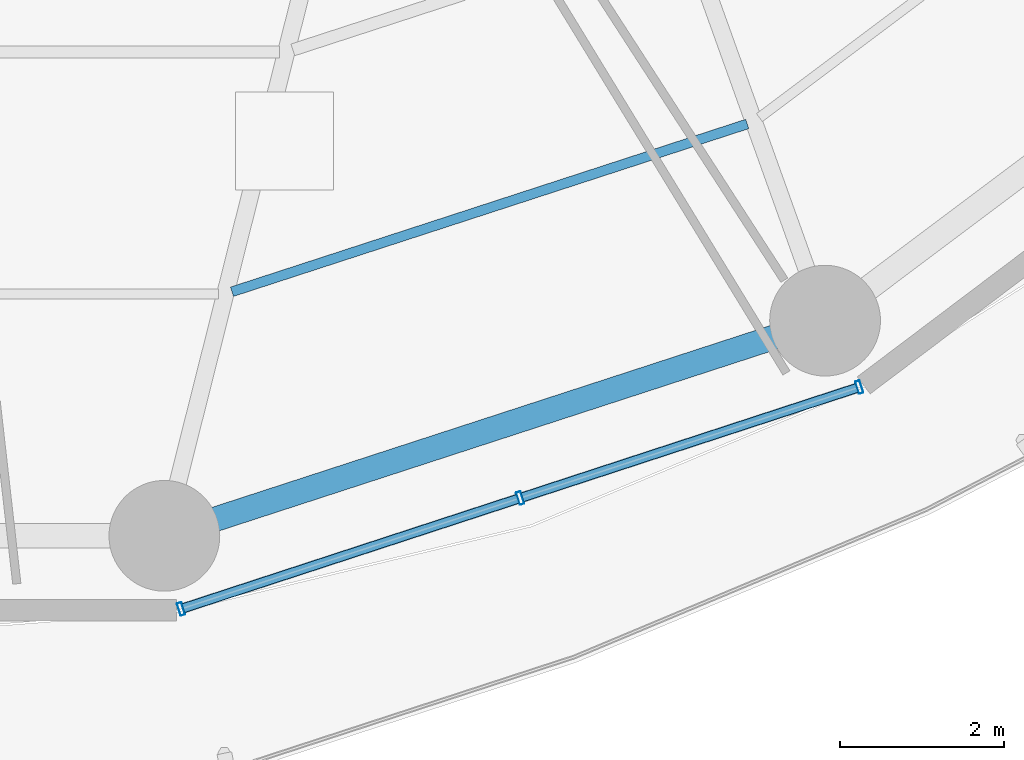
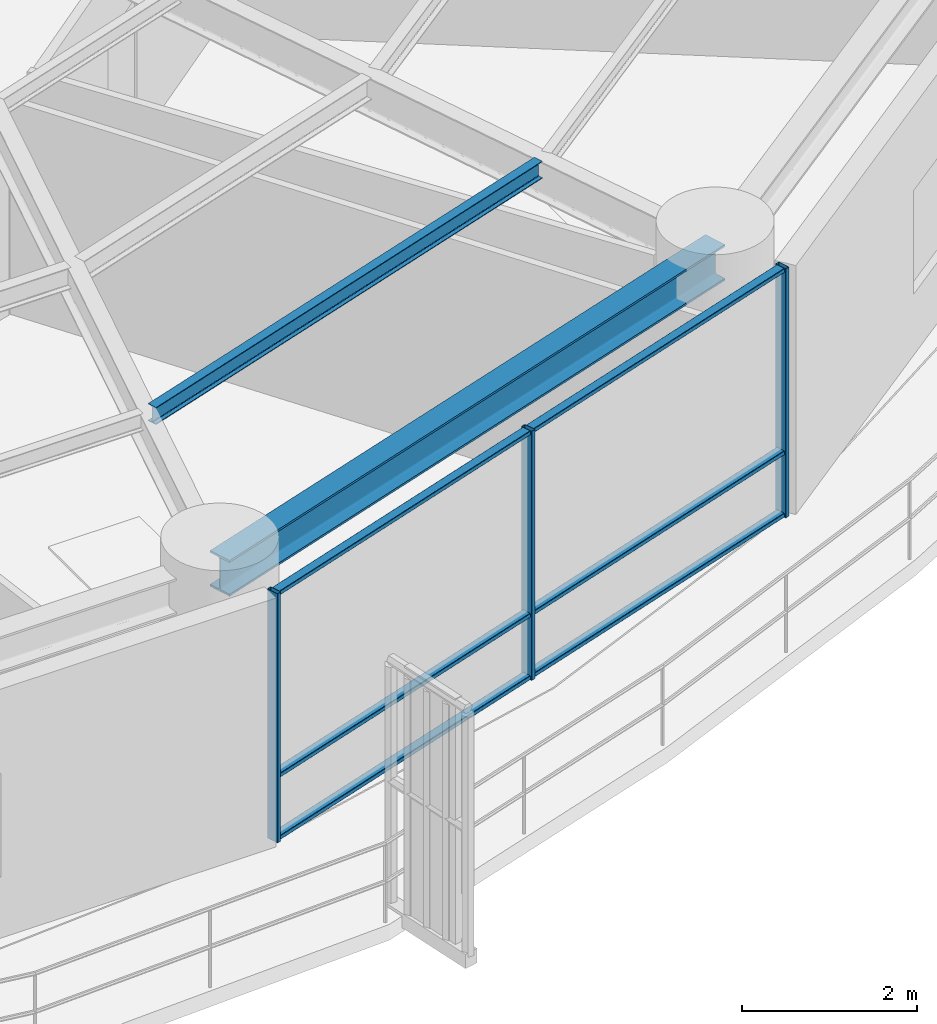
# One storey, part 8 of 33: 9 members, 2 beams, 1 element without a shape of its own.
"""IFC4 building model written with IfcOpenShell, lengths in metres."""

import ifcopenshell
import ifcopenshell.guid

model = None  # the IFC model being written
_history = None  # IfcOwnerHistory: only IFC2X3 demands one
_inside = {}  # id of a spatial element -> (the spatial element, [elements in it])
_under = {}  # id of a project, library or spatial element -> (it, [spatial elements below it])
_declared = {}  # id of a project -> (the project, [libraries it declares])
_typed = {}  # id of a type object -> (the type object, [elements of that type])
_made_of = {}  # id of a material, layer set ... -> (it, [elements and type objects made of it])


def new_model(schema):
    """Start an empty IFC model of exactly this schema.

    Asked for "IFC4X3", IfcOpenShell would pick the latest addendum, in which some entities
    have other attributes; the version numbers below select the first issue.
    IFC2X3 requires an IfcOwnerHistory on every rooted entity: one is made here for all.
    """
    global model, _history
    if schema == "IFC4X3":
        model = ifcopenshell.file(schema_version=(4, 3, 0, 0))
    else:
        model = ifcopenshell.file(schema=schema)
    _inside.clear()
    _under.clear()
    _declared.clear()
    _typed.clear()
    _made_of.clear()
    _history = None
    if model.schema == "IFC2X3":
        org = make("IfcOrganization", Name="unknown")
        user = make(
            "IfcPersonAndOrganization",
            ThePerson=make("IfcPerson", FamilyName="unknown"),
            TheOrganization=org,
        )
        app = make(
            "IfcApplication",
            ApplicationDeveloper=org,
            Version="unknown",
            ApplicationFullName="unknown",
            ApplicationIdentifier="unknown",
        )
        _history = make(
            "IfcOwnerHistory",
            OwningUser=user,
            OwningApplication=app,
            ChangeAction="ADDED",
            CreationDate=0,
        )
    return model


def make(cls, **values):
    """One entity of the class cls with the attributes given. An attribute that is None is left unset."""
    return model.create_entity(
        cls, **{name: value for name, value in values.items() if value is not None}
    )


def rooted(cls, **values):
    """An entity with a GlobalId (a new one), such as an element, a storey or a relation."""
    return make(cls, GlobalId=ifcopenshell.guid.new(), OwnerHistory=_history, **values)


def si_unit(unit_type, name, prefix=None):
    """IfcSIUnit, for example si_unit("LENGTHUNIT", "METRE", prefix="MILLI")."""
    return make("IfcSIUnit", UnitType=unit_type, Prefix=prefix, Name=name)


def assignment(units):
    """IfcUnitAssignment: the units of a project."""
    return None if units is None else make("IfcUnitAssignment", Units=units)


def point(xyz):
    """IfcCartesianPoint."""
    return None if xyz is None else make("IfcCartesianPoint", Coordinates=xyz)


def direction(xyz):
    """IfcDirection."""
    return None if xyz is None else make("IfcDirection", DirectionRatios=xyz)


def frame(location, z_axis=None, x_axis=None):
    """IfcAxis2Placement3D, a coordinate frame: its origin and axes. An axis left out is left unset."""
    return make(
        "IfcAxis2Placement3D",
        Location=point(location),
        Axis=direction(z_axis),
        RefDirection=direction(x_axis),
    )


def frame_2d(location, x_axis=None):
    """IfcAxis2Placement2D, a coordinate frame in the plane: its origin and x axis."""
    return make(
        "IfcAxis2Placement2D", Location=point(location), RefDirection=direction(x_axis)
    )


def origin():
    """The frame at (0, 0, 0) with its axes left unset."""
    return frame((0.0, 0.0, 0.0))


def origin_2d():
    """The frame at (0, 0) in the plane with its x axis left unset."""
    return frame_2d((0.0, 0.0))


def place(relative_to, where):
    """IfcLocalPlacement: puts the frame where relative to a parent placement (None: the world)."""
    return make(
        "IfcLocalPlacement", PlacementRelTo=relative_to, RelativePlacement=where
    )


def context(
    kind, dimensions, precision=None, world=None, true_north=None, identifier=None
):
    """IfcGeometricRepresentationContext, for example the 3D "Model" context."""
    return make(
        "IfcGeometricRepresentationContext",
        ContextIdentifier=identifier,
        ContextType=kind,
        CoordinateSpaceDimension=dimensions,
        Precision=precision,
        WorldCoordinateSystem=world,
        TrueNorth=true_north,
    )


def subcontext(parent, identifier, kind, view, scale=None):
    """IfcGeometricRepresentationSubContext, for example "Body" below "Model"."""
    return make(
        "IfcGeometricRepresentationSubContext",
        ContextIdentifier=identifier,
        ContextType=kind,
        ParentContext=parent,
        TargetScale=scale,
        TargetView=view,
    )


def project(units=None, contexts=None):
    """IfcProject with its units and contexts."""
    return rooted(
        "IfcProject",
        Name="project",
        RepresentationContexts=contexts,
        UnitsInContext=assignment(units),
    )


def spatial(cls, under=None, at=None, **own):
    """A site, building, storey or space (cls), placed at a placement, below another one or the project."""
    s = rooted(cls, ObjectPlacement=at, **own)
    if under is not None:
        _under.setdefault(under.id(), (under, []))[1].append(s)
    return s


def profile(cls, at=None, kind="AREA", **sizes):
    """A parametric profile (cls). Its sizes go by their IFC names, for example OverallWidth=200.0."""
    return make(cls, ProfileType=kind, Position=at, **sizes)


def hollow_rectangle(**sizes):
    """IfcRectangleHollowProfileDef."""
    return profile("IfcRectangleHollowProfileDef", **sizes)


def i_section(**sizes):
    """IfcIShapeProfileDef."""
    return profile("IfcIShapeProfileDef", **sizes)


def extrude(swept, where, along, depth):
    """IfcExtrudedAreaSolid: the profile swept, set in the frame where, extruded along a direction by depth."""
    return make(
        "IfcExtrudedAreaSolid",
        SweptArea=swept,
        Position=where,
        ExtrudedDirection=direction(along),
        Depth=depth,
    )


def shape(context_of_items, identifier, shape_type, items):
    """IfcShapeRepresentation: the items that make up one representation, for example the "Body"."""
    return make(
        "IfcShapeRepresentation",
        ContextOfItems=context_of_items,
        RepresentationIdentifier=identifier,
        RepresentationType=shape_type,
        Items=items,
    )


def material(Name=None, Category=None):
    """IfcMaterial."""
    return make("IfcMaterial", Name=Name, Category=Category)


def layer(
    of_material, thickness, ventilated=None, Name=None, Category=None, Priority=None
):
    """IfcMaterialLayer: one layer of a wall or slab, of a material (None: an air gap)."""
    return make(
        "IfcMaterialLayer",
        Material=of_material,
        LayerThickness=thickness,
        IsVentilated=ventilated,
        Name=Name,
        Category=Category,
        Priority=Priority,
    )


def layer_set(layers, Name=None):
    """IfcMaterialLayerSet."""
    return make("IfcMaterialLayerSet", MaterialLayers=layers, LayerSetName=Name)


def material_profile(
    of_material, cross_section, Name=None, Category=None, Priority=None
):
    """IfcMaterialProfile: a cross section and its material."""
    return make(
        "IfcMaterialProfile",
        Name=Name,
        Material=of_material,
        Profile=cross_section,
        Priority=Priority,
        Category=Category,
    )


def profile_set(profiles, Name=None, composite=None):
    """IfcMaterialProfileSet."""
    return make(
        "IfcMaterialProfileSet",
        Name=Name,
        MaterialProfiles=profiles,
        CompositeProfile=composite,
    )


def made_of(thing, what):
    """Note that an element or type object is made of a material, layer set ...; save() writes the relation."""
    if what is not None:
        _made_of.setdefault(what.id(), (what, []))[1].append(thing)
    return thing


def type_object(cls, material=None, **own):
    """A type object (cls), such as IfcWallType, which elements share."""
    return made_of(rooted(cls, **own), material)


def element(
    cls,
    number,
    at=None,
    inside=None,
    cuts=None,
    type_object=None,
    material=None,
    context=None,
    identifier="Body",
    shape_type=None,
    held_by="IfcProductDefinitionShape",
    body=None,
    shapes=None,
    **own,
):
    """One element of the class cls, such as IfcWall. Its Tag is "e" and its number.

    at: its placement. inside: the storey or other place that contains it. cuts: it is an
    opening in that element (IfcRelVoidsElement). A single representation is given by context,
    identifier, shape_type and body (its items); several are given by shapes. held_by: the class
    of the entity that holds the representations. save() writes the other relations.
    """
    e = rooted(cls, Tag="e%d" % number, ObjectPlacement=at, **own)
    if body is not None:
        shapes = [shape(context, identifier, shape_type, body)]
    if shapes is not None:
        e.Representation = make(held_by, Representations=shapes)
    if inside is not None:
        _inside.setdefault(inside.id(), (inside, []))[1].append(e)
    if cuts is not None:
        rooted(
            "IfcRelVoidsElement", RelatingBuildingElement=cuts, RelatedOpeningElement=e
        )
    if type_object is not None:
        _typed.setdefault(type_object.id(), (type_object, []))[1].append(e)
    return made_of(e, material)


def aggregate(whole, parts):
    """IfcRelAggregates: a whole, such as a stair, and the parts it consists of."""
    return rooted("IfcRelAggregates", RelatingObject=whole, RelatedObjects=parts)


def save(model, path):
    """Write the relations noted so far, then the file.

    IfcRelAggregates (storeys below a building ...), IfcRelContainedInSpatialStructure (elements
    in a storey), IfcRelDefinesByType, IfcRelAssociatesMaterial and IfcRelDeclares: one each for
    every whole, place, type object, material and project.
    """
    for whole, parts in _under.values():
        aggregate(whole, parts)
    for where, things in _inside.values():
        rooted(
            "IfcRelContainedInSpatialStructure",
            RelatedElements=things,
            RelatingStructure=where,
        )
    for kind, things in _typed.values():
        rooted("IfcRelDefinesByType", RelatedObjects=things, RelatingType=kind)
    for what, things in _made_of.values():
        rooted("IfcRelAssociatesMaterial", RelatedObjects=things, RelatingMaterial=what)
    for by, libraries in _declared.values():
        rooted("IfcRelDeclares", RelatingContext=by, RelatedDefinitions=libraries)
    model.write(path)


model = new_model("IFC4")

# Units and contexts
model_context = context("Model", 3, precision=1e-05, world=origin(), true_north=direction((0.0, 1.0)))
body_context = subcontext(model_context, "Body", "Model", "MODEL_VIEW")
ifc_project = project(units=[si_unit("LENGTHUNIT", "METRE"), si_unit("AREAUNIT", "SQUARE_METRE"), si_unit("VOLUMEUNIT", "CUBIC_METRE"), si_unit("PLANEANGLEUNIT", "RADIAN"), si_unit("MASSUNIT", "GRAM", prefix="KILO")], contexts=[model_context])

# Site, building, storey
site_placement = place(None, origin())
site = spatial("IfcSite", under=ifc_project, at=site_placement, CompositionType="ELEMENT")
building_placement = place(site_placement, origin())
building = spatial("IfcBuilding", under=site, at=building_placement, Name="Kelanora Arch Commons", CompositionType="ELEMENT")
storey_placement = place(building_placement, frame((0.0, 0.0, 83.85009765625)))
storey = spatial("IfcBuildingStorey", under=building, at=storey_placement, Name="L21", CompositionType="ELEMENT", Elevation=83.85009765625)

# Beams
ifc_material_1 = material(Name="Steel S355", Category="steel")
ifc_material_profile_1 = material_profile(ifc_material_1, i_section(OverallWidth=0.1201171875, OverallDepth=0.239990234375, WebThickness=0.006103515625, FlangeThickness=0.009765625, FilletRadius=0.014892578125, at=origin_2d()), Name="IPE240")
ifc_profile_set_1 = profile_set([ifc_material_profile_1], Name="Steel S355")
beam_type_1 = type_object("IfcBeamType", Name="BM-JST-02", PredefinedType="JOIST", material=ifc_profile_set_1)
beam_1_placement = place(storey_placement, frame((79.109375, 39.230712890625, 3.369873046875), z_axis=(0.950862829272, 0.309612467301, 0.0), x_axis=(-0.309612467301, 0.950862829272, 0.0)))
element("IfcBeam", 1, at=beam_1_placement, inside=storey, type_object=beam_type_1, Name="Secondary Chord Joist BJC-28 L21", PredefinedType="JOIST", context=body_context, shape_type="SweptSolid", body=[
    extrude(i_section(OverallWidth=0.1201171875, OverallDepth=0.239990234375, WebThickness=0.006103515625, FlangeThickness=0.009765625, FilletRadius=0.014892578125, at=origin_2d()), origin(), (0.0, 0.0, 1.0), 6.6064453125),
])
ifc_material_profile_2 = material_profile(ifc_material_1, i_section(OverallWidth=0.300048828125, OverallDepth=0.5, WebThickness=0.014404296875, FlangeThickness=0.028076171875, FilletRadius=0.027099609375, at=origin_2d()), Name="HEB500")
ifc_profile_set_2 = profile_set([ifc_material_profile_2], Name="Steel S355")
beam_type_2 = type_object("IfcBeamType", Name="BM-SPN-Z2", PredefinedType="SPANDREL", material=ifc_profile_set_2)
beam_2_placement = place(storey_placement, frame((78.28564453125, 36.25537109375, 3.239990234375), z_axis=(0.950856631974, 0.309631499418, 0.0), x_axis=(-0.309631499418, 0.950856631974, 0.0)))
element("IfcBeam", 2, at=beam_2_placement, inside=storey, type_object=beam_type_2, Name="Perimeter Spandrel Beam BS-28 L21", PredefinedType="SPANDREL", context=body_context, shape_type="SweptSolid", body=[
    extrude(i_section(OverallWidth=0.300048828125, OverallDepth=0.5, WebThickness=0.014404296875, FlangeThickness=0.028076171875, FilletRadius=0.027099609375, at=origin_2d()), origin(), (0.0, 0.0, 1.0), 8.470703125),
])

# Curtain wall, members
ifc_material_2 = material(Name="Terracotta ceramic-fritted low-E glass and aluminium", Category="masonry")
ifc_layer = layer(ifc_material_2, 0.159912109375)
ifc_layer_set = layer_set([ifc_layer], Name="Terracotta ceramic-fritted low-E glass and aluminium")
curtain_wall_type = type_object("IfcCurtainWallType", Name="CW-SYS-01", PredefinedType="NOTDEFINED", material=ifc_layer_set)
curtain_wall_placement = place(storey_placement, origin())
curtain_wall = element("IfcCurtainWall", 3, at=curtain_wall_placement, inside=storey, type_object=curtain_wall_type, Name="Unitised Curtain Wall L21-B14", PredefinedType="NOTDEFINED")
ifc_material_3 = material(Name="Powder-coated aluminium terracotta", Category="masonry")
ifc_material_profile_3 = material_profile(ifc_material_3, hollow_rectangle(XDim=0.159912109375, YDim=0.06005859375, WallThickness=0.0048828125, InnerFilletRadius=0.0048828125, OuterFilletRadius=0.010009765625, at=origin_2d()), Name="CWM160x60")
ifc_profile_set_3 = profile_set([ifc_material_profile_3], Name="Powder-coated aluminium terracotta")
member_type_1 = type_object("IfcMemberType", Name="CWM-STD", PredefinedType="MULLION", material=ifc_profile_set_3)
member_1_placement = place(storey_placement, frame((78.48828125, 35.363525390625, 0.0), z_axis=(0.0, 0.0, 1.0), x_axis=(-0.31080470294, 0.950473795867, 0.0)))
member_1 = element("IfcMember", 4, at=member_1_placement, type_object=member_type_1, Name="CW-01 mullion 1", PredefinedType="MULLION", context=body_context, shape_type="SweptSolid", body=[
    extrude(hollow_rectangle(XDim=0.159912109375, YDim=0.06005859375, WallThickness=0.0048828125, InnerFilletRadius=0.0048828125, OuterFilletRadius=0.010009765625, at=origin_2d()), origin(), (0.0, 0.0, 1.0), 3.474853515625),
])
member_2_placement = place(storey_placement, frame((82.622802734375, 36.71533203125, 0.0), z_axis=(0.0, 0.0, 1.0), x_axis=(-0.31080470294, 0.950473795867, 0.0)))
member_2 = element("IfcMember", 5, at=member_2_placement, type_object=member_type_1, Name="CW-01 mullion 2", PredefinedType="MULLION", context=body_context, shape_type="SweptSolid", body=[
    extrude(hollow_rectangle(XDim=0.159912109375, YDim=0.06005859375, WallThickness=0.0048828125, InnerFilletRadius=0.0048828125, OuterFilletRadius=0.010009765625, at=origin_2d()), origin(), (0.0, 0.0, 1.0), 3.474853515625),
])
member_3_placement = place(storey_placement, frame((86.757080078125, 38.0673828125, 0.0), z_axis=(0.0, 0.0, 1.0), x_axis=(-0.31080470294, 0.950473795867, 0.0)))
member_3 = element("IfcMember", 6, at=member_3_placement, type_object=member_type_1, Name="CW-01 mullion 3", PredefinedType="MULLION", context=body_context, shape_type="SweptSolid", body=[
    extrude(hollow_rectangle(XDim=0.159912109375, YDim=0.06005859375, WallThickness=0.0048828125, InnerFilletRadius=0.0048828125, OuterFilletRadius=0.010009765625, at=origin_2d()), origin(), (0.0, 0.0, 1.0), 3.474853515625),
])
ifc_material_profile_4 = material_profile(ifc_material_3, hollow_rectangle(XDim=0.1201171875, YDim=0.06005859375, WallThickness=0.0048828125, InnerFilletRadius=0.0048828125, OuterFilletRadius=0.010009765625, at=origin_2d()), Name="CWT120x60")
ifc_profile_set_4 = profile_set([ifc_material_profile_4], Name="Powder-coated aluminium terracotta")
member_type_2 = type_object("IfcMemberType", Name="CWT-STD", PredefinedType="USERDEFINED", material=ifc_profile_set_4)
member_4_placement = place(storey_placement, frame((78.516845703125, 35.372802734375, 0.02978515625), z_axis=(0.950477544745, 0.31079323824, 0.0), x_axis=(-0.31079323824, 0.950477544745, 0.0)))
member_4 = element("IfcMember", 7, at=member_4_placement, type_object=member_type_2, Name="CW-01 transom 1.1", ObjectType="TRANSOM", PredefinedType="USERDEFINED", context=body_context, shape_type="SweptSolid", body=[
    extrude(hollow_rectangle(XDim=0.1201171875, YDim=0.06005859375, WallThickness=0.0048828125, InnerFilletRadius=0.0048828125, OuterFilletRadius=0.010009765625, at=origin_2d()), origin(), (0.0, 0.0, 1.0), 4.289794921875),
])
member_5_placement = place(storey_placement, frame((78.516845703125, 35.372802734375, 0.89990234375), z_axis=(0.950477544745, 0.31079323824, 0.0), x_axis=(-0.31079323824, 0.950477544745, 0.0)))
member_5 = element("IfcMember", 8, at=member_5_placement, type_object=member_type_2, Name="CW-01 transom 1.2", ObjectType="TRANSOM", PredefinedType="USERDEFINED", context=body_context, shape_type="SweptSolid", body=[
    extrude(hollow_rectangle(XDim=0.1201171875, YDim=0.06005859375, WallThickness=0.0048828125, InnerFilletRadius=0.0048828125, OuterFilletRadius=0.010009765625, at=origin_2d()), origin(), (0.0, 0.0, 1.0), 4.289794921875),
])
member_6_placement = place(storey_placement, frame((78.516845703125, 35.372802734375, 3.44482421875), z_axis=(0.950477544745, 0.31079323824, 0.0), x_axis=(-0.31079323824, 0.950477544745, 0.0)))
member_6 = element("IfcMember", 9, at=member_6_placement, type_object=member_type_2, Name="CW-01 transom 1.3", ObjectType="TRANSOM", PredefinedType="USERDEFINED", context=body_context, shape_type="SweptSolid", body=[
    extrude(hollow_rectangle(XDim=0.1201171875, YDim=0.06005859375, WallThickness=0.0048828125, InnerFilletRadius=0.0048828125, OuterFilletRadius=0.010009765625, at=origin_2d()), origin(), (0.0, 0.0, 1.0), 4.289794921875),
])
member_7_placement = place(storey_placement, frame((82.651123046875, 36.724609375, 0.02978515625), z_axis=(0.950466230394, 0.310827838008, 0.0), x_axis=(-0.310827838008, 0.950466230394, 0.0)))
member_7 = element("IfcMember", 10, at=member_7_placement, type_object=member_type_2, Name="CW-01 transom 2.1", ObjectType="TRANSOM", PredefinedType="USERDEFINED", context=body_context, shape_type="SweptSolid", body=[
    extrude(hollow_rectangle(XDim=0.1201171875, YDim=0.06005859375, WallThickness=0.0048828125, InnerFilletRadius=0.0048828125, OuterFilletRadius=0.010009765625, at=origin_2d()), origin(), (0.0, 0.0, 1.0), 4.2900390625),
])
member_8_placement = place(storey_placement, frame((82.651123046875, 36.724609375, 0.89990234375), z_axis=(0.950466230394, 0.310827838008, 0.0), x_axis=(-0.310827838008, 0.950466230394, 0.0)))
member_8 = element("IfcMember", 11, at=member_8_placement, type_object=member_type_2, Name="CW-01 transom 2.2", ObjectType="TRANSOM", PredefinedType="USERDEFINED", context=body_context, shape_type="SweptSolid", body=[
    extrude(hollow_rectangle(XDim=0.1201171875, YDim=0.06005859375, WallThickness=0.0048828125, InnerFilletRadius=0.0048828125, OuterFilletRadius=0.010009765625, at=origin_2d()), origin(), (0.0, 0.0, 1.0), 4.2900390625),
])
member_9_placement = place(storey_placement, frame((82.651123046875, 36.724609375, 3.44482421875), z_axis=(0.950466230394, 0.310827838008, 0.0), x_axis=(-0.310827838008, 0.950466230394, 0.0)))
member_9 = element("IfcMember", 12, at=member_9_placement, type_object=member_type_2, Name="CW-01 transom 2.3", ObjectType="TRANSOM", PredefinedType="USERDEFINED", context=body_context, shape_type="SweptSolid", body=[
    extrude(hollow_rectangle(XDim=0.1201171875, YDim=0.06005859375, WallThickness=0.0048828125, InnerFilletRadius=0.0048828125, OuterFilletRadius=0.010009765625, at=origin_2d()), origin(), (0.0, 0.0, 1.0), 4.2900390625),
])
aggregate(curtain_wall, [member_1, member_2, member_3, member_4, member_5, member_6, member_7, member_8, member_9])

save(model, "model.ifc")
